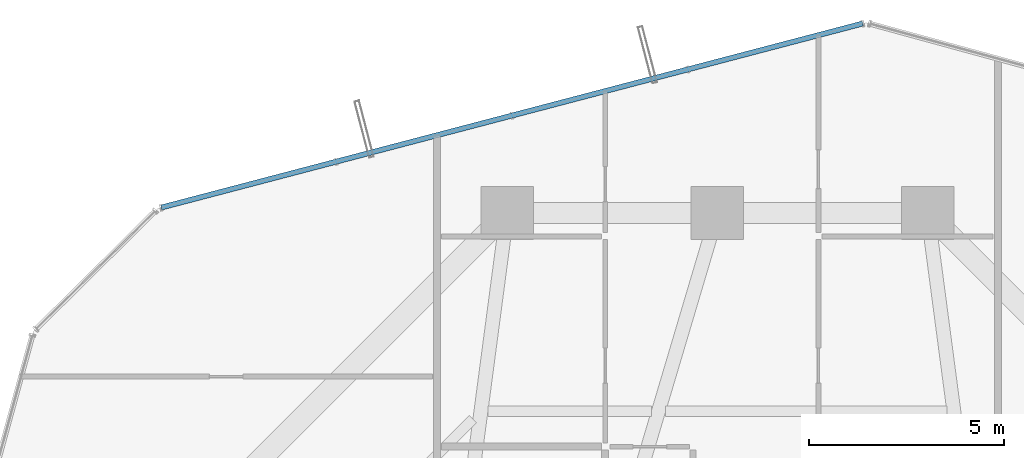
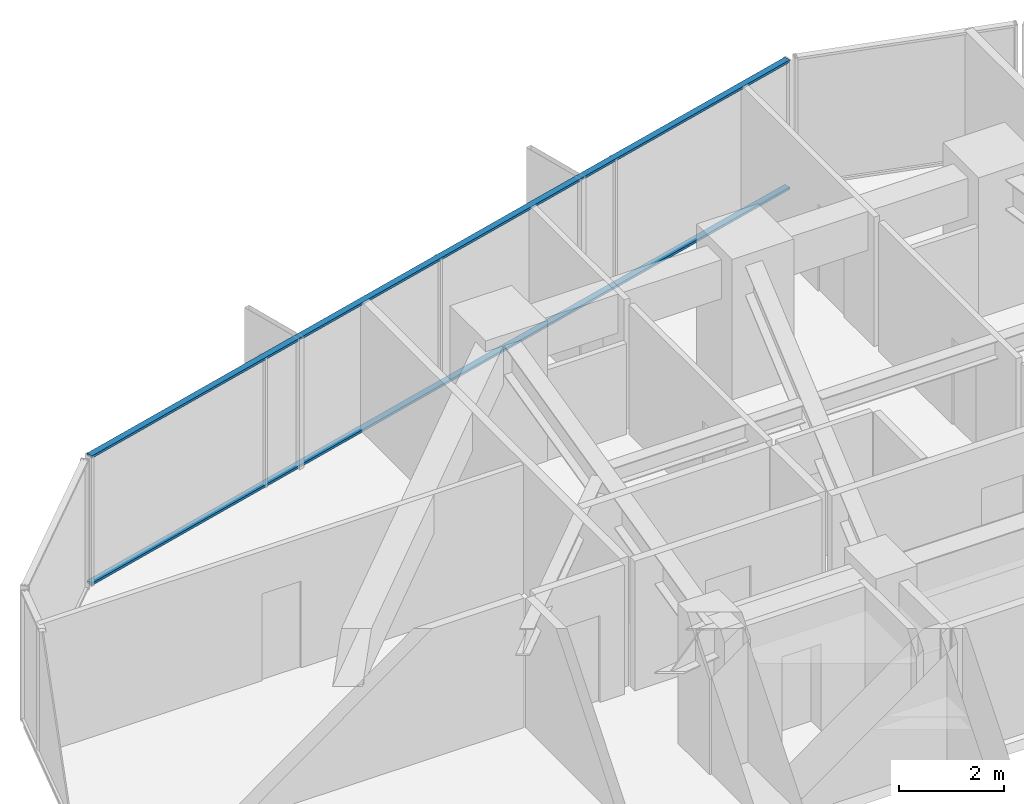
# One storey, part 27 of 39: 2 members, 1 element without a shape of its own.
"""IFC4 building model written with IfcOpenShell, lengths in metres."""

import ifcopenshell
import ifcopenshell.guid

model = None  # the IFC model being written
_history = None  # IfcOwnerHistory: only IFC2X3 demands one
_inside = {}  # id of a spatial element -> (the spatial element, [elements in it])
_under = {}  # id of a project, library or spatial element -> (it, [spatial elements below it])
_declared = {}  # id of a project -> (the project, [libraries it declares])
_typed = {}  # id of a type object -> (the type object, [elements of that type])
_made_of = {}  # id of a material, layer set ... -> (it, [elements and type objects made of it])


def new_model(schema):
    """Start an empty IFC model of exactly this schema.

    Asked for "IFC4X3", IfcOpenShell would pick the latest addendum, in which some entities
    have other attributes; the version numbers below select the first issue.
    IFC2X3 requires an IfcOwnerHistory on every rooted entity: one is made here for all.
    """
    global model, _history
    if schema == "IFC4X3":
        model = ifcopenshell.file(schema_version=(4, 3, 0, 0))
    else:
        model = ifcopenshell.file(schema=schema)
    _inside.clear()
    _under.clear()
    _declared.clear()
    _typed.clear()
    _made_of.clear()
    _history = None
    if model.schema == "IFC2X3":
        org = make("IfcOrganization", Name="unknown")
        user = make(
            "IfcPersonAndOrganization",
            ThePerson=make("IfcPerson", FamilyName="unknown"),
            TheOrganization=org,
        )
        app = make(
            "IfcApplication",
            ApplicationDeveloper=org,
            Version="unknown",
            ApplicationFullName="unknown",
            ApplicationIdentifier="unknown",
        )
        _history = make(
            "IfcOwnerHistory",
            OwningUser=user,
            OwningApplication=app,
            ChangeAction="ADDED",
            CreationDate=0,
        )
    return model


def make(cls, **values):
    """One entity of the class cls with the attributes given. An attribute that is None is left unset."""
    return model.create_entity(
        cls, **{name: value for name, value in values.items() if value is not None}
    )


def rooted(cls, **values):
    """An entity with a GlobalId (a new one), such as an element, a storey or a relation."""
    return make(cls, GlobalId=ifcopenshell.guid.new(), OwnerHistory=_history, **values)


def si_unit(unit_type, name, prefix=None):
    """IfcSIUnit, for example si_unit("LENGTHUNIT", "METRE", prefix="MILLI")."""
    return make("IfcSIUnit", UnitType=unit_type, Prefix=prefix, Name=name)


def assignment(units):
    """IfcUnitAssignment: the units of a project."""
    return None if units is None else make("IfcUnitAssignment", Units=units)


def point(xyz):
    """IfcCartesianPoint."""
    return None if xyz is None else make("IfcCartesianPoint", Coordinates=xyz)


def direction(xyz):
    """IfcDirection."""
    return None if xyz is None else make("IfcDirection", DirectionRatios=xyz)


def frame(location, z_axis=None, x_axis=None):
    """IfcAxis2Placement3D, a coordinate frame: its origin and axes. An axis left out is left unset."""
    return make(
        "IfcAxis2Placement3D",
        Location=point(location),
        Axis=direction(z_axis),
        RefDirection=direction(x_axis),
    )


def frame_2d(location, x_axis=None):
    """IfcAxis2Placement2D, a coordinate frame in the plane: its origin and x axis."""
    return make(
        "IfcAxis2Placement2D", Location=point(location), RefDirection=direction(x_axis)
    )


def origin():
    """The frame at (0, 0, 0) with its axes left unset."""
    return frame((0.0, 0.0, 0.0))


def origin_2d():
    """The frame at (0, 0) in the plane with its x axis left unset."""
    return frame_2d((0.0, 0.0))


def place(relative_to, where):
    """IfcLocalPlacement: puts the frame where relative to a parent placement (None: the world)."""
    return make(
        "IfcLocalPlacement", PlacementRelTo=relative_to, RelativePlacement=where
    )


def context(
    kind, dimensions, precision=None, world=None, true_north=None, identifier=None
):
    """IfcGeometricRepresentationContext, for example the 3D "Model" context."""
    return make(
        "IfcGeometricRepresentationContext",
        ContextIdentifier=identifier,
        ContextType=kind,
        CoordinateSpaceDimension=dimensions,
        Precision=precision,
        WorldCoordinateSystem=world,
        TrueNorth=true_north,
    )


def subcontext(parent, identifier, kind, view, scale=None):
    """IfcGeometricRepresentationSubContext, for example "Body" below "Model"."""
    return make(
        "IfcGeometricRepresentationSubContext",
        ContextIdentifier=identifier,
        ContextType=kind,
        ParentContext=parent,
        TargetScale=scale,
        TargetView=view,
    )


def project(units=None, contexts=None):
    """IfcProject with its units and contexts."""
    return rooted(
        "IfcProject",
        Name="project",
        RepresentationContexts=contexts,
        UnitsInContext=assignment(units),
    )


def spatial(cls, under=None, at=None, **own):
    """A site, building, storey or space (cls), placed at a placement, below another one or the project."""
    s = rooted(cls, ObjectPlacement=at, **own)
    if under is not None:
        _under.setdefault(under.id(), (under, []))[1].append(s)
    return s


def profile(cls, at=None, kind="AREA", **sizes):
    """A parametric profile (cls). Its sizes go by their IFC names, for example OverallWidth=200.0."""
    return make(cls, ProfileType=kind, Position=at, **sizes)


def hollow_rectangle(**sizes):
    """IfcRectangleHollowProfileDef."""
    return profile("IfcRectangleHollowProfileDef", **sizes)


def extrude(swept, where, along, depth):
    """IfcExtrudedAreaSolid: the profile swept, set in the frame where, extruded along a direction by depth."""
    return make(
        "IfcExtrudedAreaSolid",
        SweptArea=swept,
        Position=where,
        ExtrudedDirection=direction(along),
        Depth=depth,
    )


def shape(context_of_items, identifier, shape_type, items):
    """IfcShapeRepresentation: the items that make up one representation, for example the "Body"."""
    return make(
        "IfcShapeRepresentation",
        ContextOfItems=context_of_items,
        RepresentationIdentifier=identifier,
        RepresentationType=shape_type,
        Items=items,
    )


def source(mapping_origin, context_of_items, identifier, shape_type, items):
    """IfcRepresentationMap: a shape defined once, which mapped items show again and again."""
    return make(
        "IfcRepresentationMap",
        MappingOrigin=mapping_origin,
        MappedRepresentation=shape(context_of_items, identifier, shape_type, items),
    )


def transform(
    local_origin,
    x_axis=None,
    y_axis=None,
    z_axis=None,
    scale=None,
    scale2=None,
    scale3=None,
    uniform=True,
):
    """IfcCartesianTransformationOperator3D, or its non-uniform kind. x_axis, y_axis, z_axis: its Axis1, 2, 3."""
    if uniform:
        return make(
            "IfcCartesianTransformationOperator3D",
            Axis1=direction(x_axis),
            Axis2=direction(y_axis),
            LocalOrigin=point(local_origin),
            Scale=scale,
            Axis3=direction(z_axis),
        )
    return make(
        "IfcCartesianTransformationOperator3DnonUniform",
        Axis1=direction(x_axis),
        Axis2=direction(y_axis),
        LocalOrigin=point(local_origin),
        Scale=scale,
        Axis3=direction(z_axis),
        Scale2=scale2,
        Scale3=scale3,
    )


def mapped(mapping_source, mapping_target):
    """IfcMappedItem: shows the shape of a source again, moved by a transform."""
    return make(
        "IfcMappedItem", MappingSource=mapping_source, MappingTarget=mapping_target
    )


def material(Name=None, Category=None):
    """IfcMaterial."""
    return make("IfcMaterial", Name=Name, Category=Category)


def layer(
    of_material, thickness, ventilated=None, Name=None, Category=None, Priority=None
):
    """IfcMaterialLayer: one layer of a wall or slab, of a material (None: an air gap)."""
    return make(
        "IfcMaterialLayer",
        Material=of_material,
        LayerThickness=thickness,
        IsVentilated=ventilated,
        Name=Name,
        Category=Category,
        Priority=Priority,
    )


def layer_set(layers, Name=None):
    """IfcMaterialLayerSet."""
    return make("IfcMaterialLayerSet", MaterialLayers=layers, LayerSetName=Name)


def material_profile(
    of_material, cross_section, Name=None, Category=None, Priority=None
):
    """IfcMaterialProfile: a cross section and its material."""
    return make(
        "IfcMaterialProfile",
        Name=Name,
        Material=of_material,
        Profile=cross_section,
        Priority=Priority,
        Category=Category,
    )


def profile_set(profiles, Name=None, composite=None):
    """IfcMaterialProfileSet."""
    return make(
        "IfcMaterialProfileSet",
        Name=Name,
        MaterialProfiles=profiles,
        CompositeProfile=composite,
    )


def made_of(thing, what):
    """Note that an element or type object is made of a material, layer set ...; save() writes the relation."""
    if what is not None:
        _made_of.setdefault(what.id(), (what, []))[1].append(thing)
    return thing


def type_object(cls, material=None, **own):
    """A type object (cls), such as IfcWallType, which elements share."""
    return made_of(rooted(cls, **own), material)


def element(
    cls,
    number,
    at=None,
    inside=None,
    cuts=None,
    type_object=None,
    material=None,
    context=None,
    identifier="Body",
    shape_type=None,
    held_by="IfcProductDefinitionShape",
    body=None,
    shapes=None,
    **own,
):
    """One element of the class cls, such as IfcWall. Its Tag is "e" and its number.

    at: its placement. inside: the storey or other place that contains it. cuts: it is an
    opening in that element (IfcRelVoidsElement). A single representation is given by context,
    identifier, shape_type and body (its items); several are given by shapes. held_by: the class
    of the entity that holds the representations. save() writes the other relations.
    """
    e = rooted(cls, Tag="e%d" % number, ObjectPlacement=at, **own)
    if body is not None:
        shapes = [shape(context, identifier, shape_type, body)]
    if shapes is not None:
        e.Representation = make(held_by, Representations=shapes)
    if inside is not None:
        _inside.setdefault(inside.id(), (inside, []))[1].append(e)
    if cuts is not None:
        rooted(
            "IfcRelVoidsElement", RelatingBuildingElement=cuts, RelatedOpeningElement=e
        )
    if type_object is not None:
        _typed.setdefault(type_object.id(), (type_object, []))[1].append(e)
    return made_of(e, material)


def aggregate(whole, parts):
    """IfcRelAggregates: a whole, such as a stair, and the parts it consists of."""
    return rooted("IfcRelAggregates", RelatingObject=whole, RelatedObjects=parts)


def save(model, path):
    """Write the relations noted so far, then the file.

    IfcRelAggregates (storeys below a building ...), IfcRelContainedInSpatialStructure (elements
    in a storey), IfcRelDefinesByType, IfcRelAssociatesMaterial and IfcRelDeclares: one each for
    every whole, place, type object, material and project.
    """
    for whole, parts in _under.values():
        aggregate(whole, parts)
    for where, things in _inside.values():
        rooted(
            "IfcRelContainedInSpatialStructure",
            RelatedElements=things,
            RelatingStructure=where,
        )
    for kind, things in _typed.values():
        rooted("IfcRelDefinesByType", RelatedObjects=things, RelatingType=kind)
    for what, things in _made_of.values():
        rooted("IfcRelAssociatesMaterial", RelatedObjects=things, RelatingMaterial=what)
    for by, libraries in _declared.values():
        rooted("IfcRelDeclares", RelatingContext=by, RelatedDefinitions=libraries)
    model.write(path)


model = new_model("IFC4")

# Units and contexts
model_context = context("Model", 3, precision=1e-05, world=origin(), true_north=direction((0.0, 1.0)))
body_context = subcontext(model_context, "Body", "Model", "MODEL_VIEW")
ifc_project = project(units=[si_unit("LENGTHUNIT", "METRE"), si_unit("AREAUNIT", "SQUARE_METRE"), si_unit("VOLUMEUNIT", "CUBIC_METRE"), si_unit("PLANEANGLEUNIT", "RADIAN"), si_unit("MASSUNIT", "GRAM", prefix="KILO")], contexts=[model_context])

# Site, building, storey
site_placement = place(None, origin())
site = spatial("IfcSite", under=ifc_project, at=site_placement, CompositionType="ELEMENT")
building_placement = place(site_placement, origin())
building = spatial("IfcBuilding", under=site, at=building_placement, Name="Veraguas Prism Commons", CompositionType="ELEMENT")
storey_placement = place(building_placement, frame((0.0, 0.0, 73.85009765625)))
storey = spatial("IfcBuildingStorey", under=building, at=storey_placement, Name="L20", CompositionType="ELEMENT", Elevation=73.85009765625)

# Curtain wall, members
ifc_material = material(Name="Anodised aluminium EN AW-6063 T6", Category="aluminium")
ifc_layer = layer(ifc_material, 0.169921875, Name="Unitised Flush Curtain Wall Zone 1", Category="aluminium")
ifc_layer_set = layer_set([ifc_layer], Name="Anodised aluminium EN AW-6063 T6")
curtain_wall_type = type_object("IfcCurtainWallType", Name="Unitised Flush Curtain Wall Zone 1", PredefinedType="NOTDEFINED", material=ifc_layer_set)
curtain_wall_placement = place(storey_placement, origin())
curtain_wall = element("IfcCurtainWall", 1, at=curtain_wall_placement, inside=storey, type_object=curtain_wall_type, Name="Tower Facade Curtain Wall L20-F2", PredefinedType="NOTDEFINED")
ifc_material_profile = material_profile(ifc_material, hollow_rectangle(XDim=0.054931640625, YDim=0.135009765625, WallThickness=0.0029296875, at=origin_2d()), Name="AL55X135X3")
ifc_profile_set = profile_set([ifc_material_profile], Name="Anodised aluminium EN AW-6063 T6")
member_type = type_object("IfcMemberType", Name="Curtain Wall Transom Standard AL 55x135x3", PredefinedType="USERDEFINED", material=ifc_profile_set)
shared_shape = source(origin(), body_context, "Body", "SweptSolid", [
    extrude(hollow_rectangle(XDim=0.054931640625, YDim=0.135009765625, WallThickness=0.0029296875, at=origin_2d()), origin(), (0.0, 0.0, 1.0), 18.6240234375),
])
member_1_placement = place(storey_placement, frame((27.73291015625, 46.46728515625, 0.02734375), z_axis=(-0.967266649367, -0.253762150493, 0.0), x_axis=(0.0, 0.0, 1.0)))
member_1 = element("IfcMember", 2, at=member_1_placement, type_object=member_type, Name="CW-Z1 Transom 1", ObjectType="TRANSOM", PredefinedType="USERDEFINED", context=body_context, shape_type="MappedRepresentation", body=[
    mapped(shared_shape, transform((0.0, 0.0, 0.0), scale=1.0)),
])
member_2_placement = place(storey_placement, frame((27.73291015625, 46.46728515625, 2.972412109375), z_axis=(-0.967266649367, -0.253762150493, 0.0), x_axis=(0.0, 0.0, 1.0)))
member_2 = element("IfcMember", 3, at=member_2_placement, type_object=member_type, Name="CW-Z1 Transom 2", ObjectType="TRANSOM", PredefinedType="USERDEFINED", context=body_context, shape_type="MappedRepresentation", body=[
    mapped(shared_shape, transform((0.0, 0.0, 0.0), scale=1.0)),
])
aggregate(curtain_wall, [member_1, member_2])

save(model, "model.ifc")
